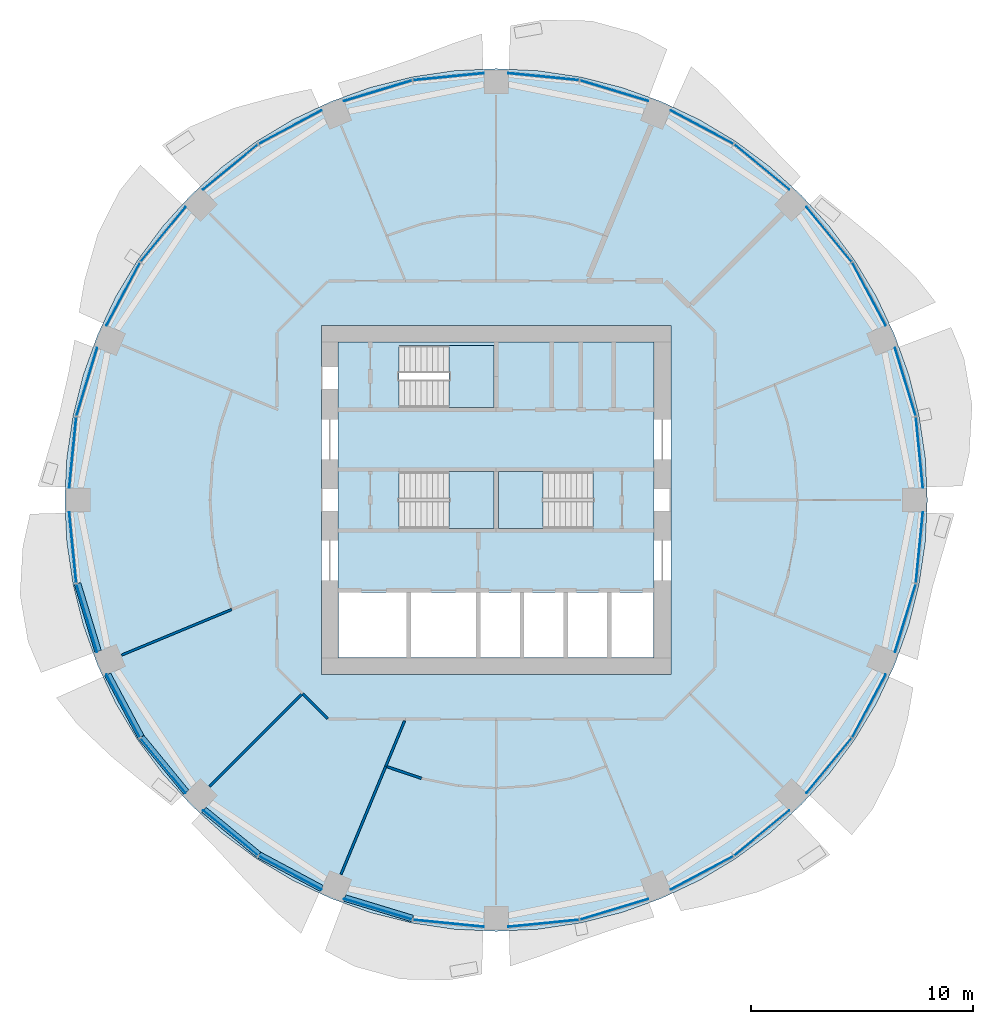
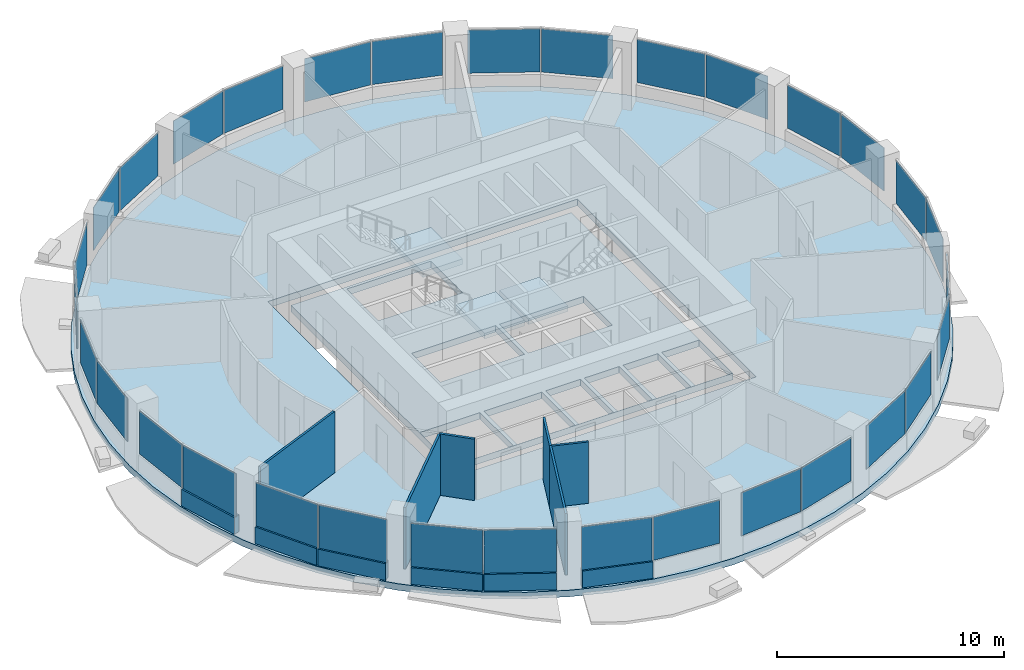
# One storey, part 7 of 15: 32 plates, 12 walls, 5 slabs, 19 elements without a shape of their own.
"""IFC4 building model written with IfcOpenShell, lengths in metres."""

import ifcopenshell
import ifcopenshell.guid

model = None  # the IFC model being written
_history = None  # IfcOwnerHistory: only IFC2X3 demands one
_inside = {}  # id of a spatial element -> (the spatial element, [elements in it])
_under = {}  # id of a project, library or spatial element -> (it, [spatial elements below it])
_declared = {}  # id of a project -> (the project, [libraries it declares])
_typed = {}  # id of a type object -> (the type object, [elements of that type])
_made_of = {}  # id of a material, layer set ... -> (it, [elements and type objects made of it])


def new_model(schema):
    """Start an empty IFC model of exactly this schema.

    Asked for "IFC4X3", IfcOpenShell would pick the latest addendum, in which some entities
    have other attributes; the version numbers below select the first issue.
    IFC2X3 requires an IfcOwnerHistory on every rooted entity: one is made here for all.
    """
    global model, _history
    if schema == "IFC4X3":
        model = ifcopenshell.file(schema_version=(4, 3, 0, 0))
    else:
        model = ifcopenshell.file(schema=schema)
    _inside.clear()
    _under.clear()
    _declared.clear()
    _typed.clear()
    _made_of.clear()
    _history = None
    if model.schema == "IFC2X3":
        org = make("IfcOrganization", Name="unknown")
        user = make(
            "IfcPersonAndOrganization",
            ThePerson=make("IfcPerson", FamilyName="unknown"),
            TheOrganization=org,
        )
        app = make(
            "IfcApplication",
            ApplicationDeveloper=org,
            Version="unknown",
            ApplicationFullName="unknown",
            ApplicationIdentifier="unknown",
        )
        _history = make(
            "IfcOwnerHistory",
            OwningUser=user,
            OwningApplication=app,
            ChangeAction="ADDED",
            CreationDate=0,
        )
    return model


def make(cls, **values):
    """One entity of the class cls with the attributes given. An attribute that is None is left unset."""
    return model.create_entity(
        cls, **{name: value for name, value in values.items() if value is not None}
    )


def rooted(cls, **values):
    """An entity with a GlobalId (a new one), such as an element, a storey or a relation."""
    return make(cls, GlobalId=ifcopenshell.guid.new(), OwnerHistory=_history, **values)


def si_unit(unit_type, name, prefix=None):
    """IfcSIUnit, for example si_unit("LENGTHUNIT", "METRE", prefix="MILLI")."""
    return make("IfcSIUnit", UnitType=unit_type, Prefix=prefix, Name=name)


def assignment(units):
    """IfcUnitAssignment: the units of a project."""
    return None if units is None else make("IfcUnitAssignment", Units=units)


def point(xyz):
    """IfcCartesianPoint."""
    return None if xyz is None else make("IfcCartesianPoint", Coordinates=xyz)


def direction(xyz):
    """IfcDirection."""
    return None if xyz is None else make("IfcDirection", DirectionRatios=xyz)


def frame(location, z_axis=None, x_axis=None):
    """IfcAxis2Placement3D, a coordinate frame: its origin and axes. An axis left out is left unset."""
    return make(
        "IfcAxis2Placement3D",
        Location=point(location),
        Axis=direction(z_axis),
        RefDirection=direction(x_axis),
    )


def frame_2d(location, x_axis=None):
    """IfcAxis2Placement2D, a coordinate frame in the plane: its origin and x axis."""
    return make(
        "IfcAxis2Placement2D", Location=point(location), RefDirection=direction(x_axis)
    )


def origin():
    """The frame at (0, 0, 0) with its axes left unset."""
    return frame((0.0, 0.0, 0.0))


def origin_2d():
    """The frame at (0, 0) in the plane with its x axis left unset."""
    return frame_2d((0.0, 0.0))


def place(relative_to, where):
    """IfcLocalPlacement: puts the frame where relative to a parent placement (None: the world)."""
    return make(
        "IfcLocalPlacement", PlacementRelTo=relative_to, RelativePlacement=where
    )


def context(
    kind, dimensions, precision=None, world=None, true_north=None, identifier=None
):
    """IfcGeometricRepresentationContext, for example the 3D "Model" context."""
    return make(
        "IfcGeometricRepresentationContext",
        ContextIdentifier=identifier,
        ContextType=kind,
        CoordinateSpaceDimension=dimensions,
        Precision=precision,
        WorldCoordinateSystem=world,
        TrueNorth=true_north,
    )


def subcontext(parent, identifier, kind, view, scale=None):
    """IfcGeometricRepresentationSubContext, for example "Body" below "Model"."""
    return make(
        "IfcGeometricRepresentationSubContext",
        ContextIdentifier=identifier,
        ContextType=kind,
        ParentContext=parent,
        TargetScale=scale,
        TargetView=view,
    )


def project(units=None, contexts=None):
    """IfcProject with its units and contexts."""
    return rooted(
        "IfcProject",
        Name="project",
        RepresentationContexts=contexts,
        UnitsInContext=assignment(units),
    )


def spatial(cls, under=None, at=None, **own):
    """A site, building, storey or space (cls), placed at a placement, below another one or the project."""
    s = rooted(cls, ObjectPlacement=at, **own)
    if under is not None:
        _under.setdefault(under.id(), (under, []))[1].append(s)
    return s


def polyline(points):
    """IfcPolyline through the points."""
    return make("IfcPolyline", Points=[point(p) for p in points])


def profile(cls, at=None, kind="AREA", **sizes):
    """A parametric profile (cls). Its sizes go by their IFC names, for example OverallWidth=200.0."""
    return make(cls, ProfileType=kind, Position=at, **sizes)


def rectangle(**sizes):
    """IfcRectangleProfileDef."""
    return profile("IfcRectangleProfileDef", **sizes)


def outline(outer, holes=None, kind="AREA"):
    """IfcArbitraryClosedProfileDef: a profile drawn as a closed curve; with holes, ...WithVoids."""
    if holes is None:
        return make("IfcArbitraryClosedProfileDef", ProfileType=kind, OuterCurve=outer)
    return make(
        "IfcArbitraryProfileDefWithVoids",
        ProfileType=kind,
        OuterCurve=outer,
        InnerCurves=holes,
    )


def extrude(swept, where, along, depth):
    """IfcExtrudedAreaSolid: the profile swept, set in the frame where, extruded along a direction by depth."""
    return make(
        "IfcExtrudedAreaSolid",
        SweptArea=swept,
        Position=where,
        ExtrudedDirection=direction(along),
        Depth=depth,
    )


def shape(context_of_items, identifier, shape_type, items):
    """IfcShapeRepresentation: the items that make up one representation, for example the "Body"."""
    return make(
        "IfcShapeRepresentation",
        ContextOfItems=context_of_items,
        RepresentationIdentifier=identifier,
        RepresentationType=shape_type,
        Items=items,
    )


def material(Name=None, Category=None):
    """IfcMaterial."""
    return make("IfcMaterial", Name=Name, Category=Category)


def layer(
    of_material, thickness, ventilated=None, Name=None, Category=None, Priority=None
):
    """IfcMaterialLayer: one layer of a wall or slab, of a material (None: an air gap)."""
    return make(
        "IfcMaterialLayer",
        Material=of_material,
        LayerThickness=thickness,
        IsVentilated=ventilated,
        Name=Name,
        Category=Category,
        Priority=Priority,
    )


def layer_set(layers, Name=None):
    """IfcMaterialLayerSet."""
    return make("IfcMaterialLayerSet", MaterialLayers=layers, LayerSetName=Name)


def made_of(thing, what):
    """Note that an element or type object is made of a material, layer set ...; save() writes the relation."""
    if what is not None:
        _made_of.setdefault(what.id(), (what, []))[1].append(thing)
    return thing


def type_object(cls, material=None, **own):
    """A type object (cls), such as IfcWallType, which elements share."""
    return made_of(rooted(cls, **own), material)


def element(
    cls,
    number,
    at=None,
    inside=None,
    cuts=None,
    type_object=None,
    material=None,
    context=None,
    identifier="Body",
    shape_type=None,
    held_by="IfcProductDefinitionShape",
    body=None,
    shapes=None,
    **own,
):
    """One element of the class cls, such as IfcWall. Its Tag is "e" and its number.

    at: its placement. inside: the storey or other place that contains it. cuts: it is an
    opening in that element (IfcRelVoidsElement). A single representation is given by context,
    identifier, shape_type and body (its items); several are given by shapes. held_by: the class
    of the entity that holds the representations. save() writes the other relations.
    """
    e = rooted(cls, Tag="e%d" % number, ObjectPlacement=at, **own)
    if body is not None:
        shapes = [shape(context, identifier, shape_type, body)]
    if shapes is not None:
        e.Representation = make(held_by, Representations=shapes)
    if inside is not None:
        _inside.setdefault(inside.id(), (inside, []))[1].append(e)
    if cuts is not None:
        rooted(
            "IfcRelVoidsElement", RelatingBuildingElement=cuts, RelatedOpeningElement=e
        )
    if type_object is not None:
        _typed.setdefault(type_object.id(), (type_object, []))[1].append(e)
    return made_of(e, material)


def aggregate(whole, parts):
    """IfcRelAggregates: a whole, such as a stair, and the parts it consists of."""
    return rooted("IfcRelAggregates", RelatingObject=whole, RelatedObjects=parts)


def save(model, path):
    """Write the relations noted so far, then the file.

    IfcRelAggregates (storeys below a building ...), IfcRelContainedInSpatialStructure (elements
    in a storey), IfcRelDefinesByType, IfcRelAssociatesMaterial and IfcRelDeclares: one each for
    every whole, place, type object, material and project.
    """
    for whole, parts in _under.values():
        aggregate(whole, parts)
    for where, things in _inside.values():
        rooted(
            "IfcRelContainedInSpatialStructure",
            RelatedElements=things,
            RelatingStructure=where,
        )
    for kind, things in _typed.values():
        rooted("IfcRelDefinesByType", RelatedObjects=things, RelatingType=kind)
    for what, things in _made_of.values():
        rooted("IfcRelAssociatesMaterial", RelatedObjects=things, RelatingMaterial=what)
    for by, libraries in _declared.values():
        rooted("IfcRelDeclares", RelatingContext=by, RelatedDefinitions=libraries)
    model.write(path)


model = new_model("IFC4")

# Units and contexts
model_context = context("Model", 3, precision=1e-05, world=origin(), true_north=direction((0.0, 1.0)))
body_context = subcontext(model_context, "Body", "Model", "MODEL_VIEW")
ifc_project = project(units=[si_unit("LENGTHUNIT", "METRE"), si_unit("AREAUNIT", "SQUARE_METRE"), si_unit("VOLUMEUNIT", "CUBIC_METRE"), si_unit("PLANEANGLEUNIT", "RADIAN"), si_unit("MASSUNIT", "GRAM", prefix="KILO")], contexts=[model_context])

# Site, building, storey
site_placement = place(None, origin())
site = spatial("IfcSite", under=ifc_project, at=site_placement, CompositionType="ELEMENT")
building_placement = place(site_placement, origin())
building = spatial("IfcBuilding", under=site, at=building_placement, Name="Polderwave Tower", CompositionType="ELEMENT")
storey_placement = place(building_placement, frame((0.0, 0.0, 76.39990234375)))
storey = spatial("IfcBuildingStorey", under=building, at=storey_placement, Name="L19", CompositionType="ELEMENT", Elevation=76.39990234375)

# Slab
ifc_material_1 = material(Name="Concrete C40/50", Category="concrete")
ifc_layer_1 = layer(ifc_material_1, 0.35009765625)
ifc_layer_set_1 = layer_set([ifc_layer_1], Name="Core floor slab 350")
slab_type_1 = type_object("IfcSlabType", Name="Core floor slab 350", PredefinedType="FLOOR", material=ifc_layer_set_1)
slab_1_placement = place(storey_placement, frame((0.0, 0.0, -0.349853515625)))
element("IfcSlab", 1, at=slab_1_placement, inside=storey, type_object=slab_type_1, Name="L19 core floor", PredefinedType="FLOOR", context=body_context, shape_type="SweptSolid", body=[
    extrude(outline(polyline([(-7.1240234375, -7.1240234375), (7.1240234375, -7.1240234375), (7.1240234375, 7.1240234375), (-7.1240234375, 7.1240234375), (-7.1240234375, -7.1240234375)]), holes=[polyline([(-7.10400390625, -7.10400390625), (-4.037109375, -7.10400390625), (-4.037109375, -4.174072265625), (-7.10400390625, -4.174072265625), (-7.10400390625, -7.10400390625)]), polyline([(-3.8369140625, -7.10400390625), (-0.89990234375, -7.10400390625), (-0.89990234375, -4.174072265625), (-3.8369140625, -4.174072265625), (-3.8369140625, -7.10400390625)]), polyline([(-0.699951171875, -7.10400390625), (1.068603515625, -7.10400390625), (1.068603515625, -4.174072265625), (-0.699951171875, -4.174072265625), (-0.699951171875, -7.10400390625)]), polyline([(1.2685546875, -7.10400390625), (3.037109375, -7.10400390625), (3.037109375, -4.174072265625), (1.2685546875, -4.174072265625), (1.2685546875, -7.10400390625)]), polyline([(3.237060546875, -7.10400390625), (5.005615234375, -7.10400390625), (5.005615234375, -4.174072265625), (3.237060546875, -4.174072265625), (3.237060546875, -7.10400390625)]), polyline([(5.20556640625, -7.10400390625), (7.10400390625, -7.10400390625), (7.10400390625, -4.174072265625), (5.20556640625, -4.174072265625), (5.20556640625, -7.10400390625)]), polyline([(-4.37353515625, -1.2744140625), (-0.1005859375, -1.2744140625), (-0.1005859375, 1.2744140625), (-4.37353515625, 1.2744140625), (-4.37353515625, -1.2744140625)]), polyline([(0.1005859375, -1.2744140625), (4.37353515625, -1.2744140625), (4.37353515625, 1.2744140625), (0.1005859375, 1.2744140625), (0.1005859375, -1.2744140625)]), polyline([(-4.37353515625, 4.174560546875), (-0.1005859375, 4.174560546875), (-0.1005859375, 6.973388671875), (-4.37353515625, 6.973388671875), (-4.37353515625, 4.174560546875)])]), origin(), (0.0, 0.0, 1.0), 0.349853515625),
])

# Curtain wall, plates
ifc_material_2 = material(Name="Aluminium 6063-T6 and glass", Category="aluminium")
curtain_wall_type = type_object("IfcCurtainWallType", Name="Growing floor ribbon glazing wall", PredefinedType="NOTDEFINED", material=ifc_material_2)
curtain_wall_1_placement = place(storey_placement, origin())
curtain_wall_1 = element("IfcCurtainWall", 2, at=curtain_wall_1_placement, inside=storey, type_object=curtain_wall_type, Name="CW2 L19 00", PredefinedType="NOTDEFINED")
ifc_material_3 = material(Name="Glass, low-e laminated double glazing", Category="glass")
ifc_layer_2 = layer(ifc_material_3, 0.028076171875)
ifc_layer_set_2 = layer_set([ifc_layer_2], Name="Growing floor ribbon glazing glass panel 28 mm")
plate_type = type_object("IfcPlateType", Name="Growing floor ribbon glazing glass panel 28 mm", PredefinedType="CURTAIN_PANEL", material=ifc_layer_set_2)
plate_1_placement = place(storey_placement, frame((19.0791015625, 2.1416015625, 0.89990234375), z_axis=(0.0, 0.0, 1.0), x_axis=(-0.098185620651, 0.995168118409, 0.0)))
plate_1 = element("IfcPlate", 3, at=plate_1_placement, type_object=plate_type, Name="CW2 panel 1", PredefinedType="CURTAIN_PANEL", context=body_context, shape_type="SweptSolid", body=[
    extrude(rectangle(XDim=3.198486328125, YDim=0.028076171875, at=origin_2d()), origin(), (0.0, 0.0, 1.0), 2.320068359375),
])
plate_2_placement = place(storey_placement, frame((18.446044921875, 5.322509765625, 0.89990234375), z_axis=(0.0, 0.0, 1.0), x_axis=(-0.290187805562, 0.956969716085, 0.0)))
plate_2 = element("IfcPlate", 4, at=plate_2_placement, type_object=plate_type, Name="CW2 panel 2", PredefinedType="CURTAIN_PANEL", context=body_context, shape_type="SweptSolid", body=[
    extrude(rectangle(XDim=3.198974609375, YDim=0.028076171875, at=origin_2d()), origin(), (0.0, 0.0, 1.0), 2.320068359375),
])
aggregate(curtain_wall_1, [plate_1, plate_2])

curtain_wall_2_placement = place(storey_placement, origin())
curtain_wall_2 = element("IfcCurtainWall", 5, at=curtain_wall_2_placement, inside=storey, type_object=curtain_wall_type, Name="CW2 L19 01", PredefinedType="NOTDEFINED")
plate_3_placement = place(storey_placement, frame((16.80712890625, 9.27978515625, 0.89990234375), z_axis=(0.0, 0.0, 1.0), x_axis=(-0.471327469438, 0.881958285041, 0.0)))
plate_3 = element("IfcPlate", 6, at=plate_3_placement, type_object=plate_type, Name="CW2 panel 1", PredefinedType="CURTAIN_PANEL", context=body_context, shape_type="SweptSolid", body=[
    extrude(rectangle(XDim=3.19921875, YDim=0.028076171875, at=origin_2d()), origin(), (0.0, 0.0, 1.0), 2.320068359375),
])
plate_4_placement = place(storey_placement, frame((15.005615234375, 11.9765625, 0.89990234375), z_axis=(0.0, 0.0, 1.0), x_axis=(-0.634316379032, 0.773073561371, 0.0)))
plate_4 = element("IfcPlate", 7, at=plate_4_placement, type_object=plate_type, Name="CW2 panel 2", PredefinedType="CURTAIN_PANEL", context=body_context, shape_type="SweptSolid", body=[
    extrude(rectangle(XDim=3.19873046875, YDim=0.028076171875, at=origin_2d()), origin(), (0.0, 0.0, 1.0), 2.320068359375),
])
aggregate(curtain_wall_2, [plate_3, plate_4])

curtain_wall_3_placement = place(storey_placement, origin())
curtain_wall_3 = element("IfcCurtainWall", 8, at=curtain_wall_3_placement, inside=storey, type_object=curtain_wall_type, Name="CW2 L19 02", PredefinedType="NOTDEFINED")
plate_5_placement = place(storey_placement, frame((11.9765625, 15.005615234375, 0.89990234375), z_axis=(0.0, 0.0, 1.0), x_axis=(-0.773073561371, 0.634316379032, 0.0)))
plate_5 = element("IfcPlate", 9, at=plate_5_placement, type_object=plate_type, Name="CW2 panel 1", PredefinedType="CURTAIN_PANEL", context=body_context, shape_type="SweptSolid", body=[
    extrude(rectangle(XDim=3.19873046875, YDim=0.028076171875, at=origin_2d()), origin(), (0.0, 0.0, 1.0), 2.320068359375),
])
plate_6_placement = place(storey_placement, frame((9.27978515625, 16.80712890625, 0.89990234375), z_axis=(0.0, 0.0, 1.0), x_axis=(-0.881958285041, 0.471327469438, 0.0)))
plate_6 = element("IfcPlate", 10, at=plate_6_placement, type_object=plate_type, Name="CW2 panel 2", PredefinedType="CURTAIN_PANEL", context=body_context, shape_type="SweptSolid", body=[
    extrude(rectangle(XDim=3.19921875, YDim=0.028076171875, at=origin_2d()), origin(), (0.0, 0.0, 1.0), 2.320068359375),
])
aggregate(curtain_wall_3, [plate_5, plate_6])

curtain_wall_4_placement = place(storey_placement, origin())
curtain_wall_4 = element("IfcCurtainWall", 11, at=curtain_wall_4_placement, inside=storey, type_object=curtain_wall_type, Name="CW2 L19 03", PredefinedType="NOTDEFINED")
plate_7_placement = place(storey_placement, frame((5.322509765625, 18.446044921875, 0.89990234375), z_axis=(0.0, 0.0, 1.0), x_axis=(-0.956969716085, 0.290187805562, 0.0)))
plate_7 = element("IfcPlate", 12, at=plate_7_placement, type_object=plate_type, Name="CW2 panel 1", PredefinedType="CURTAIN_PANEL", context=body_context, shape_type="SweptSolid", body=[
    extrude(rectangle(XDim=3.198974609375, YDim=0.028076171875, at=origin_2d()), origin(), (0.0, 0.0, 1.0), 2.320068359375),
])
plate_8_placement = place(storey_placement, frame((2.1416015625, 19.0791015625, 0.89990234375), z_axis=(0.0, 0.0, 1.0), x_axis=(-0.995168118409, 0.098185620651, 0.0)))
plate_8 = element("IfcPlate", 13, at=plate_8_placement, type_object=plate_type, Name="CW2 panel 2", PredefinedType="CURTAIN_PANEL", context=body_context, shape_type="SweptSolid", body=[
    extrude(rectangle(XDim=3.198486328125, YDim=0.028076171875, at=origin_2d()), origin(), (0.0, 0.0, 1.0), 2.320068359375),
])
aggregate(curtain_wall_4, [plate_7, plate_8])

curtain_wall_5_placement = place(storey_placement, origin())
curtain_wall_5 = element("IfcCurtainWall", 14, at=curtain_wall_5_placement, inside=storey, type_object=curtain_wall_type, Name="CW2 L19 04", PredefinedType="NOTDEFINED")
plate_9_placement = place(storey_placement, frame((-2.1416015625, 19.0791015625, 0.89990234375), z_axis=(0.0, 0.0, 1.0), x_axis=(-0.995168118409, -0.098185620651, 0.0)))
plate_9 = element("IfcPlate", 15, at=plate_9_placement, type_object=plate_type, Name="CW2 panel 1", PredefinedType="CURTAIN_PANEL", context=body_context, shape_type="SweptSolid", body=[
    extrude(rectangle(XDim=3.198486328125, YDim=0.028076171875, at=origin_2d()), origin(), (0.0, 0.0, 1.0), 2.320068359375),
])
plate_10_placement = place(storey_placement, frame((-5.322509765625, 18.446044921875, 0.89990234375), z_axis=(0.0, 0.0, 1.0), x_axis=(-0.956969716085, -0.290187805562, 0.0)))
plate_10 = element("IfcPlate", 16, at=plate_10_placement, type_object=plate_type, Name="CW2 panel 2", PredefinedType="CURTAIN_PANEL", context=body_context, shape_type="SweptSolid", body=[
    extrude(rectangle(XDim=3.198974609375, YDim=0.028076171875, at=origin_2d()), origin(), (0.0, 0.0, 1.0), 2.320068359375),
])
aggregate(curtain_wall_5, [plate_9, plate_10])

curtain_wall_6_placement = place(storey_placement, origin())
curtain_wall_6 = element("IfcCurtainWall", 17, at=curtain_wall_6_placement, inside=storey, type_object=curtain_wall_type, Name="CW2 L19 05", PredefinedType="NOTDEFINED")
plate_11_placement = place(storey_placement, frame((-9.27978515625, 16.80712890625, 0.89990234375), z_axis=(0.0, 0.0, 1.0), x_axis=(-0.881958285041, -0.471327469438, 0.0)))
plate_11 = element("IfcPlate", 18, at=plate_11_placement, type_object=plate_type, Name="CW2 panel 1", PredefinedType="CURTAIN_PANEL", context=body_context, shape_type="SweptSolid", body=[
    extrude(rectangle(XDim=3.19921875, YDim=0.028076171875, at=origin_2d()), origin(), (0.0, 0.0, 1.0), 2.320068359375),
])
plate_12_placement = place(storey_placement, frame((-11.9765625, 15.005615234375, 0.89990234375), z_axis=(0.0, 0.0, 1.0), x_axis=(-0.773073561371, -0.634316379032, 0.0)))
plate_12 = element("IfcPlate", 19, at=plate_12_placement, type_object=plate_type, Name="CW2 panel 2", PredefinedType="CURTAIN_PANEL", context=body_context, shape_type="SweptSolid", body=[
    extrude(rectangle(XDim=3.19873046875, YDim=0.028076171875, at=origin_2d()), origin(), (0.0, 0.0, 1.0), 2.320068359375),
])
aggregate(curtain_wall_6, [plate_11, plate_12])

curtain_wall_7_placement = place(storey_placement, origin())
curtain_wall_7 = element("IfcCurtainWall", 20, at=curtain_wall_7_placement, inside=storey, type_object=curtain_wall_type, Name="CW2 L19 06", PredefinedType="NOTDEFINED")
plate_13_placement = place(storey_placement, frame((-15.005615234375, 11.9765625, 0.89990234375), z_axis=(0.0, 0.0, 1.0), x_axis=(-0.634316379032, -0.773073561371, 0.0)))
plate_13 = element("IfcPlate", 21, at=plate_13_placement, type_object=plate_type, Name="CW2 panel 1", PredefinedType="CURTAIN_PANEL", context=body_context, shape_type="SweptSolid", body=[
    extrude(rectangle(XDim=3.19873046875, YDim=0.028076171875, at=origin_2d()), origin(), (0.0, 0.0, 1.0), 2.320068359375),
])
plate_14_placement = place(storey_placement, frame((-16.80712890625, 9.27978515625, 0.89990234375), z_axis=(0.0, 0.0, 1.0), x_axis=(-0.471327469438, -0.881958285041, 0.0)))
plate_14 = element("IfcPlate", 22, at=plate_14_placement, type_object=plate_type, Name="CW2 panel 2", PredefinedType="CURTAIN_PANEL", context=body_context, shape_type="SweptSolid", body=[
    extrude(rectangle(XDim=3.19921875, YDim=0.028076171875, at=origin_2d()), origin(), (0.0, 0.0, 1.0), 2.320068359375),
])
aggregate(curtain_wall_7, [plate_13, plate_14])

curtain_wall_8_placement = place(storey_placement, origin())
curtain_wall_8 = element("IfcCurtainWall", 23, at=curtain_wall_8_placement, inside=storey, type_object=curtain_wall_type, Name="CW2 L19 07", PredefinedType="NOTDEFINED")
plate_15_placement = place(storey_placement, frame((-18.446044921875, 5.322509765625, 0.89990234375), z_axis=(0.0, 0.0, 1.0), x_axis=(-0.290187805562, -0.956969716085, 0.0)))
plate_15 = element("IfcPlate", 24, at=plate_15_placement, type_object=plate_type, Name="CW2 panel 1", PredefinedType="CURTAIN_PANEL", context=body_context, shape_type="SweptSolid", body=[
    extrude(rectangle(XDim=3.198974609375, YDim=0.028076171875, at=origin_2d()), origin(), (0.0, 0.0, 1.0), 2.320068359375),
])
plate_16_placement = place(storey_placement, frame((-19.0791015625, 2.1416015625, 0.89990234375), z_axis=(0.0, 0.0, 1.0), x_axis=(-0.098185620651, -0.995168118409, 0.0)))
plate_16 = element("IfcPlate", 25, at=plate_16_placement, type_object=plate_type, Name="CW2 panel 2", PredefinedType="CURTAIN_PANEL", context=body_context, shape_type="SweptSolid", body=[
    extrude(rectangle(XDim=3.198486328125, YDim=0.028076171875, at=origin_2d()), origin(), (0.0, 0.0, 1.0), 2.320068359375),
])
aggregate(curtain_wall_8, [plate_15, plate_16])

curtain_wall_9_placement = place(storey_placement, origin())
curtain_wall_9 = element("IfcCurtainWall", 26, at=curtain_wall_9_placement, inside=storey, type_object=curtain_wall_type, Name="CW2 L19 08", PredefinedType="NOTDEFINED")
plate_17_placement = place(storey_placement, frame((-19.0791015625, -2.1416015625, 0.89990234375), z_axis=(0.0, 0.0, 1.0), x_axis=(0.098185620651, -0.995168118409, 0.0)))
plate_17 = element("IfcPlate", 27, at=plate_17_placement, type_object=plate_type, Name="CW2 panel 1", PredefinedType="CURTAIN_PANEL", context=body_context, shape_type="SweptSolid", body=[
    extrude(rectangle(XDim=3.198486328125, YDim=0.028076171875, at=origin_2d()), origin(), (0.0, 0.0, 1.0), 2.320068359375),
])
plate_18_placement = place(storey_placement, frame((-18.446044921875, -5.322509765625, 0.89990234375), z_axis=(0.0, 0.0, 1.0), x_axis=(0.290187805562, -0.956969716085, 0.0)))
plate_18 = element("IfcPlate", 28, at=plate_18_placement, type_object=plate_type, Name="CW2 panel 2", PredefinedType="CURTAIN_PANEL", context=body_context, shape_type="SweptSolid", body=[
    extrude(rectangle(XDim=3.198974609375, YDim=0.028076171875, at=origin_2d()), origin(), (0.0, 0.0, 1.0), 2.320068359375),
])
aggregate(curtain_wall_9, [plate_17, plate_18])

curtain_wall_10_placement = place(storey_placement, origin())
curtain_wall_10 = element("IfcCurtainWall", 29, at=curtain_wall_10_placement, inside=storey, type_object=curtain_wall_type, Name="CW2 L19 09", PredefinedType="NOTDEFINED")
plate_19_placement = place(storey_placement, frame((-16.80712890625, -9.27978515625, 0.89990234375), z_axis=(0.0, 0.0, 1.0), x_axis=(0.471327469438, -0.881958285041, 0.0)))
plate_19 = element("IfcPlate", 30, at=plate_19_placement, type_object=plate_type, Name="CW2 panel 1", PredefinedType="CURTAIN_PANEL", context=body_context, shape_type="SweptSolid", body=[
    extrude(rectangle(XDim=3.19921875, YDim=0.028076171875, at=origin_2d()), origin(), (0.0, 0.0, 1.0), 2.320068359375),
])
plate_20_placement = place(storey_placement, frame((-15.005615234375, -11.9765625, 0.89990234375), z_axis=(0.0, 0.0, 1.0), x_axis=(0.634316379032, -0.773073561371, 0.0)))
plate_20 = element("IfcPlate", 31, at=plate_20_placement, type_object=plate_type, Name="CW2 panel 2", PredefinedType="CURTAIN_PANEL", context=body_context, shape_type="SweptSolid", body=[
    extrude(rectangle(XDim=3.19873046875, YDim=0.028076171875, at=origin_2d()), origin(), (0.0, 0.0, 1.0), 2.320068359375),
])
aggregate(curtain_wall_10, [plate_19, plate_20])

curtain_wall_11_placement = place(storey_placement, origin())
curtain_wall_11 = element("IfcCurtainWall", 32, at=curtain_wall_11_placement, inside=storey, type_object=curtain_wall_type, Name="CW2 L19 10", PredefinedType="NOTDEFINED")
plate_21_placement = place(storey_placement, frame((-11.9765625, -15.005615234375, 0.89990234375), z_axis=(0.0, 0.0, 1.0), x_axis=(0.773073561371, -0.634316379032, 0.0)))
plate_21 = element("IfcPlate", 33, at=plate_21_placement, type_object=plate_type, Name="CW2 panel 1", PredefinedType="CURTAIN_PANEL", context=body_context, shape_type="SweptSolid", body=[
    extrude(rectangle(XDim=3.19873046875, YDim=0.028076171875, at=origin_2d()), origin(), (0.0, 0.0, 1.0), 2.320068359375),
])
plate_22_placement = place(storey_placement, frame((-9.27978515625, -16.80712890625, 0.89990234375), z_axis=(0.0, 0.0, 1.0), x_axis=(0.881958285041, -0.471327469438, 0.0)))
plate_22 = element("IfcPlate", 34, at=plate_22_placement, type_object=plate_type, Name="CW2 panel 2", PredefinedType="CURTAIN_PANEL", context=body_context, shape_type="SweptSolid", body=[
    extrude(rectangle(XDim=3.19921875, YDim=0.028076171875, at=origin_2d()), origin(), (0.0, 0.0, 1.0), 2.320068359375),
])
aggregate(curtain_wall_11, [plate_21, plate_22])

curtain_wall_12_placement = place(storey_placement, origin())
curtain_wall_12 = element("IfcCurtainWall", 35, at=curtain_wall_12_placement, inside=storey, type_object=curtain_wall_type, Name="CW2 L19 11", PredefinedType="NOTDEFINED")
plate_23_placement = place(storey_placement, frame((-5.322509765625, -18.446044921875, 0.89990234375), z_axis=(0.0, 0.0, 1.0), x_axis=(0.956969716085, -0.290187805562, 0.0)))
plate_23 = element("IfcPlate", 36, at=plate_23_placement, type_object=plate_type, Name="CW2 panel 1", PredefinedType="CURTAIN_PANEL", context=body_context, shape_type="SweptSolid", body=[
    extrude(rectangle(XDim=3.198974609375, YDim=0.028076171875, at=origin_2d()), origin(), (0.0, 0.0, 1.0), 2.320068359375),
])
plate_24_placement = place(storey_placement, frame((-2.1416015625, -19.0791015625, 0.89990234375), z_axis=(0.0, 0.0, 1.0), x_axis=(0.995168118409, -0.098185620651, 0.0)))
plate_24 = element("IfcPlate", 37, at=plate_24_placement, type_object=plate_type, Name="CW2 panel 2", PredefinedType="CURTAIN_PANEL", context=body_context, shape_type="SweptSolid", body=[
    extrude(rectangle(XDim=3.198486328125, YDim=0.028076171875, at=origin_2d()), origin(), (0.0, 0.0, 1.0), 2.320068359375),
])
aggregate(curtain_wall_12, [plate_23, plate_24])

curtain_wall_13_placement = place(storey_placement, origin())
curtain_wall_13 = element("IfcCurtainWall", 38, at=curtain_wall_13_placement, inside=storey, type_object=curtain_wall_type, Name="CW2 L19 12", PredefinedType="NOTDEFINED")
plate_25_placement = place(storey_placement, frame((2.1416015625, -19.0791015625, 0.89990234375), z_axis=(0.0, 0.0, 1.0), x_axis=(0.995168118409, 0.098185620651, 0.0)))
plate_25 = element("IfcPlate", 39, at=plate_25_placement, type_object=plate_type, Name="CW2 panel 1", PredefinedType="CURTAIN_PANEL", context=body_context, shape_type="SweptSolid", body=[
    extrude(rectangle(XDim=3.198486328125, YDim=0.028076171875, at=origin_2d()), origin(), (0.0, 0.0, 1.0), 2.320068359375),
])
plate_26_placement = place(storey_placement, frame((5.322509765625, -18.446044921875, 0.89990234375), z_axis=(0.0, 0.0, 1.0), x_axis=(0.956969716085, 0.290187805562, 0.0)))
plate_26 = element("IfcPlate", 40, at=plate_26_placement, type_object=plate_type, Name="CW2 panel 2", PredefinedType="CURTAIN_PANEL", context=body_context, shape_type="SweptSolid", body=[
    extrude(rectangle(XDim=3.198974609375, YDim=0.028076171875, at=origin_2d()), origin(), (0.0, 0.0, 1.0), 2.320068359375),
])
aggregate(curtain_wall_13, [plate_25, plate_26])

curtain_wall_14_placement = place(storey_placement, origin())
curtain_wall_14 = element("IfcCurtainWall", 41, at=curtain_wall_14_placement, inside=storey, type_object=curtain_wall_type, Name="CW2 L19 13", PredefinedType="NOTDEFINED")
plate_27_placement = place(storey_placement, frame((9.27978515625, -16.80712890625, 0.89990234375), z_axis=(0.0, 0.0, 1.0), x_axis=(0.881958285041, 0.471327469438, 0.0)))
plate_27 = element("IfcPlate", 42, at=plate_27_placement, type_object=plate_type, Name="CW2 panel 1", PredefinedType="CURTAIN_PANEL", context=body_context, shape_type="SweptSolid", body=[
    extrude(rectangle(XDim=3.19921875, YDim=0.028076171875, at=origin_2d()), origin(), (0.0, 0.0, 1.0), 2.320068359375),
])
plate_28_placement = place(storey_placement, frame((11.9765625, -15.005615234375, 0.89990234375), z_axis=(0.0, 0.0, 1.0), x_axis=(0.773073561371, 0.634316379032, 0.0)))
plate_28 = element("IfcPlate", 43, at=plate_28_placement, type_object=plate_type, Name="CW2 panel 2", PredefinedType="CURTAIN_PANEL", context=body_context, shape_type="SweptSolid", body=[
    extrude(rectangle(XDim=3.19873046875, YDim=0.028076171875, at=origin_2d()), origin(), (0.0, 0.0, 1.0), 2.320068359375),
])
aggregate(curtain_wall_14, [plate_27, plate_28])

curtain_wall_15_placement = place(storey_placement, origin())
curtain_wall_15 = element("IfcCurtainWall", 44, at=curtain_wall_15_placement, inside=storey, type_object=curtain_wall_type, Name="CW2 L19 14", PredefinedType="NOTDEFINED")
plate_29_placement = place(storey_placement, frame((15.005615234375, -11.9765625, 0.89990234375), z_axis=(0.0, 0.0, 1.0), x_axis=(0.634316379032, 0.773073561371, 0.0)))
plate_29 = element("IfcPlate", 45, at=plate_29_placement, type_object=plate_type, Name="CW2 panel 1", PredefinedType="CURTAIN_PANEL", context=body_context, shape_type="SweptSolid", body=[
    extrude(rectangle(XDim=3.19873046875, YDim=0.028076171875, at=origin_2d()), origin(), (0.0, 0.0, 1.0), 2.320068359375),
])
plate_30_placement = place(storey_placement, frame((16.80712890625, -9.27978515625, 0.89990234375), z_axis=(0.0, 0.0, 1.0), x_axis=(0.471327469438, 0.881958285041, 0.0)))
plate_30 = element("IfcPlate", 46, at=plate_30_placement, type_object=plate_type, Name="CW2 panel 2", PredefinedType="CURTAIN_PANEL", context=body_context, shape_type="SweptSolid", body=[
    extrude(rectangle(XDim=3.19921875, YDim=0.028076171875, at=origin_2d()), origin(), (0.0, 0.0, 1.0), 2.320068359375),
])
aggregate(curtain_wall_15, [plate_29, plate_30])

curtain_wall_16_placement = place(storey_placement, origin())
curtain_wall_16 = element("IfcCurtainWall", 47, at=curtain_wall_16_placement, inside=storey, type_object=curtain_wall_type, Name="CW2 L19 15", PredefinedType="NOTDEFINED")
plate_31_placement = place(storey_placement, frame((18.446044921875, -5.322509765625, 0.89990234375), z_axis=(0.0, 0.0, 1.0), x_axis=(0.290187805562, 0.956969716085, 0.0)))
plate_31 = element("IfcPlate", 48, at=plate_31_placement, type_object=plate_type, Name="CW2 panel 1", PredefinedType="CURTAIN_PANEL", context=body_context, shape_type="SweptSolid", body=[
    extrude(rectangle(XDim=3.198974609375, YDim=0.028076171875, at=origin_2d()), origin(), (0.0, 0.0, 1.0), 2.320068359375),
])
plate_32_placement = place(storey_placement, frame((19.0791015625, -2.1416015625, 0.89990234375), z_axis=(0.0, 0.0, 1.0), x_axis=(0.098185620651, 0.995168118409, 0.0)))
plate_32 = element("IfcPlate", 49, at=plate_32_placement, type_object=plate_type, Name="CW2 panel 2", PredefinedType="CURTAIN_PANEL", context=body_context, shape_type="SweptSolid", body=[
    extrude(rectangle(XDim=3.198486328125, YDim=0.028076171875, at=origin_2d()), origin(), (0.0, 0.0, 1.0), 2.320068359375),
])
aggregate(curtain_wall_16, [plate_31, plate_32])

# Slab
ifc_layer_3 = layer(ifc_material_1, 0.35009765625)
ifc_layer_set_3 = layer_set([ifc_layer_3], Name="PT FLOOR SLAB 350 C40/50")
slab_type_2 = type_object("IfcSlabType", Name="PT FLOOR SLAB 350 C40/50", PredefinedType="FLOOR", material=ifc_layer_set_3)
slab_2_placement = place(storey_placement, frame((0.0, 0.0, -0.349853515625)))
element("IfcSlab", 50, at=slab_2_placement, inside=storey, type_object=slab_type_2, Name="ST-SLAB-L19", PredefinedType="FLOOR", context=body_context, shape_type="SweptSolid", body=[
    extrude(outline(polyline([(19.43994140625, 0.0), (19.346435546875, 1.905517578125), (19.06640625, 3.79248046875), (18.602783203125, 5.64306640625), (17.960205078125, 7.439453125), (17.14453125, 9.1640625), (16.163818359375, 10.80029296875), (15.02734375, 12.33251953125), (13.74609375, 13.74609375), (12.33251953125, 15.02734375), (10.80029296875, 16.163818359375), (9.1640625, 17.14453125), (7.439453125, 17.960205078125), (5.64306640625, 18.602783203125), (3.79248046875, 19.06640625), (1.905517578125, 19.346435546875), (0.0, 19.43994140625), (-1.905517578125, 19.346435546875), (-3.79248046875, 19.06640625), (-5.64306640625, 18.602783203125), (-7.439453125, 17.960205078125), (-9.1640625, 17.14453125), (-10.80029296875, 16.163818359375), (-12.33251953125, 15.02734375), (-13.74609375, 13.74609375), (-15.02734375, 12.33251953125), (-16.163818359375, 10.80029296875), (-17.14453125, 9.1640625), (-17.960205078125, 7.439453125), (-18.602783203125, 5.64306640625), (-19.06640625, 3.79248046875), (-19.346435546875, 1.905517578125), (-19.43994140625, 0.0), (-19.346435546875, -1.905517578125), (-19.06640625, -3.79248046875), (-18.602783203125, -5.64306640625), (-17.960205078125, -7.439453125), (-17.14453125, -9.1640625), (-16.163818359375, -10.80029296875), (-15.02734375, -12.33251953125), (-13.74609375, -13.74609375), (-12.33251953125, -15.02734375), (-10.80029296875, -16.163818359375), (-9.1640625, -17.14453125), (-7.439453125, -17.960205078125), (-5.64306640625, -18.602783203125), (-3.79248046875, -19.06640625), (-1.905517578125, -19.346435546875), (0.0, -19.43994140625), (1.905517578125, -19.346435546875), (3.79248046875, -19.06640625), (5.64306640625, -18.602783203125), (7.439453125, -17.960205078125), (9.1640625, -17.14453125), (10.80029296875, -16.163818359375), (12.33251953125, -15.02734375), (13.74609375, -13.74609375), (15.02734375, -12.33251953125), (16.163818359375, -10.80029296875), (17.14453125, -9.1640625), (17.960205078125, -7.439453125), (18.602783203125, -5.64306640625), (19.06640625, -3.79248046875), (19.346435546875, -1.905517578125), (19.43994140625, 0.0)]), holes=[polyline([(-7.8740234375, -7.8740234375), (7.8740234375, -7.8740234375), (7.8740234375, 7.8740234375), (-7.8740234375, 7.8740234375), (-7.8740234375, -7.8740234375)])]), origin(), (0.0, 0.0, 1.0), 0.349853515625),
])

# Stair, slab
stair_type = type_object("IfcStairType", Name="Exit stair 1200 x 20 risers", PredefinedType="HALF_TURN_STAIR", material=ifc_material_1)
stair_1_placement = place(storey_placement, origin())
stair_1 = element("IfcStair", 51, at=stair_1_placement, inside=storey, type_object=stair_type, Name="L19 Exit stair A", PredefinedType="HALF_TURN_STAIR")
ifc_layer_4 = layer(ifc_material_1, 0.300048828125)
ifc_layer_set_4 = layer_set([ifc_layer_4], Name="Stair landing 300")
slab_type_3 = type_object("IfcSlabType", Name="Stair landing 300", PredefinedType="LANDING", material=ifc_layer_set_4)
slab_3_placement = place(storey_placement, frame((0.0, 0.0, 1.525146484375)))
slab_3 = element("IfcSlab", 52, at=slab_3_placement, type_object=slab_type_3, Name="ST-A landing 1", PredefinedType="LANDING", context=body_context, shape_type="SweptSolid", body=[
    extrude(outline(polyline([(-2.1240234375, -1.27490234375), (-0.10009765625, -1.27490234375), (-0.10009765625, 1.27490234375), (-2.1240234375, 1.27490234375), (-2.1240234375, -1.27490234375)])), origin(), (0.0, 0.0, 1.0), 0.300048828125),
])
aggregate(stair_1, [slab_3])

stair_2_placement = place(storey_placement, origin())
stair_2 = element("IfcStair", 53, at=stair_2_placement, inside=storey, type_object=stair_type, Name="L19 Exit stair B", PredefinedType="HALF_TURN_STAIR")
slab_4_placement = place(storey_placement, frame((0.0, 0.0, 1.525146484375)))
slab_4 = element("IfcSlab", 54, at=slab_4_placement, type_object=slab_type_3, Name="ST-B landing 1", PredefinedType="LANDING", context=body_context, shape_type="SweptSolid", body=[
    extrude(outline(polyline([(2.1240234375, 1.27490234375), (0.10009765625, 1.27490234375), (0.10009765625, -1.27490234375), (2.1240234375, -1.27490234375), (2.1240234375, 1.27490234375)])), origin(), (0.0, 0.0, 1.0), 0.300048828125),
])
aggregate(stair_2, [slab_4])

stair_3_placement = place(storey_placement, origin())
stair_3 = element("IfcStair", 55, at=stair_3_placement, inside=storey, type_object=stair_type, Name="L19 Exit stair C", PredefinedType="HALF_TURN_STAIR")
slab_5_placement = place(storey_placement, frame((0.0, 0.0, 1.525146484375)))
slab_5 = element("IfcSlab", 56, at=slab_5_placement, type_object=slab_type_3, Name="ST-C landing 1", PredefinedType="LANDING", context=body_context, shape_type="SweptSolid", body=[
    extrude(outline(polyline([(-2.1240234375, 4.174072265625), (-0.10009765625, 4.174072265625), (-0.10009765625, 6.97412109375), (-2.1240234375, 6.97412109375), (-2.1240234375, 4.174072265625)])), origin(), (0.0, 0.0, 1.0), 0.300048828125),
])
aggregate(stair_3, [slab_5])

# Walls
ifc_material_4 = material(Name="Concrete C50/60 (board-marked)", Category="concrete")
ifc_layer_5 = layer(ifc_material_4, 0.300048828125)
ifc_layer_set_5 = layer_set([ifc_layer_5], Name="Concrete spandrel upstand C50/60")
wall_type_1 = type_object("IfcWallType", Name="Concrete spandrel upstand C50/60", PredefinedType="SOLIDWALL", material=ifc_layer_set_5)
wall_1_placement = place(storey_placement, frame((-18.865478515625, -3.767333984375, 0.0), z_axis=(0.0, 0.0, 1.0), x_axis=(0.290238876314, -0.956954228099, 0.0)))
element("IfcWall", 57, at=wall_1_placement, inside=storey, type_object=wall_type_1, Name="Spandrel L19 9b", PredefinedType="SOLIDWALL", context=body_context, shape_type="SweptSolid", body=[
    extrude(rectangle(XDim=3.190673828125, YDim=0.300048828125, at=frame_2d((1.59521484375, 0.0))), origin(), (0.0, 0.0, 1.0), 0.900146484375),
])
for number, where, z_axis, x_axis, name in (
    (58, (-17.5078125, -7.8623046875, 0.0), (0.0, 0.0, 1.0), (0.471354692163, -0.8819437364, 0.0), "Spandrel L19 10a"),
    (59, (-15.987548828125, -10.70068359375, 0.0), (0.0, 0.0, 1.0), (0.63411253447, -0.773240773387, 0.0), "Spandrel L19 10b"),
    (60, (-13.16748046875, -13.964599609375, 0.0), (0.0, 0.0, 1.0), (0.773240773387, -0.63411253447, 0.0), "Spandrel L19 11a"),
    (61, (-10.67578125, -16.004150390625, 0.0), (0.0, 0.0, 1.0), (0.8819437364, -0.471354692163, 0.0), "Spandrel L19 11b"),
):
    element("IfcWall", number, at=place(storey_placement, frame(where, z_axis=z_axis, x_axis=x_axis)), inside=storey, type_object=wall_type_1, Name=name, PredefinedType="SOLIDWALL", context=body_context, shape_type="SweptSolid", body=[
        extrude(rectangle(XDim=3.190185546875, YDim=0.300048828125, at=frame_2d((1.59521484375, 0.0))), origin(), (0.0, 0.0, 1.0), 0.900146484375),
    ])
wall_2_placement = place(storey_placement, frame((-6.820556640625, -17.939453125, 0.0), z_axis=(0.0, 0.0, 1.0), x_axis=(0.956954228099, -0.290238876314, 0.0)))
element("IfcWall", 62, at=wall_2_placement, inside=storey, type_object=wall_type_1, Name="Spandrel L19 12a", PredefinedType="SOLIDWALL", context=body_context, shape_type="SweptSolid", body=[
    extrude(rectangle(XDim=3.190673828125, YDim=0.300048828125, at=frame_2d((1.59521484375, 0.0))), origin(), (0.0, 0.0, 1.0), 0.900146484375),
])
ifc_material_5 = material(Name="Fire-resisting board on steel studs", Category="steel")
ifc_layer_6 = layer(ifc_material_5, 0.125)
ifc_layer_set_6 = layer_set([ifc_layer_6], Name="Corridor wall 125 mm EI 60")
wall_type_2 = type_object("IfcWallType", Name="Corridor wall 125 mm EI 60", PredefinedType="PARTITIONING", material=ifc_layer_set_6)
wall_3_placement = place(storey_placement, frame((-7.58935546875, -9.855712890625, 0.0), z_axis=(0.0, 0.0, 1.0), x_axis=(-0.707030604857, 0.70718294931, 0.0)))
element("IfcWall", 63, at=wall_3_placement, inside=storey, type_object=wall_type_2, Name="IN-L19-W016", PredefinedType="PARTITIONING", context=body_context, shape_type="SweptSolid", body=[
    extrude(rectangle(XDim=1.6025390625, YDim=0.125, at=frame_2d((0.80126953125, 0.0))), origin(), (0.0, 0.0, 1.0), 3.300048828125),
])
ifc_material_6 = material(Name="Moisture-resistant board on steel studs, tiled", Category="steel")
ifc_layer_7 = layer(ifc_material_6, 0.10498046875)
ifc_layer_set_7 = layer_set([ifc_layer_7], Name="Partition 105 mm wet room board and tile")
wall_type_3 = type_object("IfcWallType", Name="Partition 105 mm wet room board and tile", PredefinedType="PARTITIONING", material=ifc_layer_set_7)
wall_4_placement = place(storey_placement, frame((-11.90869140625, -4.932861328125, 0.0), z_axis=(0.0, 0.0, 1.0), x_axis=(-0.923889947991, -0.382658286204, 0.0)))
element("IfcWall", 64, at=wall_4_placement, inside=storey, type_object=wall_type_3, Name="IN-L19-W052", PredefinedType="PARTITIONING", context=body_context, shape_type="SweptSolid", body=[
    extrude(rectangle(XDim=5.3701171875, YDim=0.10498046875, at=frame_2d((2.68505859375, 0.0))), origin(), (0.0, 0.0, 1.0), 3.300048828125),
])
wall_5_placement = place(storey_placement, frame((-12.911865234375, -12.911865234375, 0.0), z_axis=(0.0, 0.0, 1.0), x_axis=(0.707106781187, 0.707106781187, 0.0)))
element("IfcWall", 65, at=wall_5_placement, inside=storey, type_object=wall_type_3, Name="IN-L19-W053", PredefinedType="PARTITIONING", context=body_context, shape_type="SweptSolid", body=[
    extrude(rectangle(XDim=5.8623046875, YDim=0.10498046875, at=frame_2d((2.93115234375, 0.0))), origin(), (0.0, 0.0, 1.0), 3.300048828125),
])
wall_6_placement = place(storey_placement, frame((-4.1240234375, -9.95654296875, 0.0), z_axis=(0.0, 0.0, 1.0), x_axis=(-0.382679799248, -0.923881037389, 0.0)))
element("IfcWall", 66, at=wall_6_placement, inside=storey, type_object=wall_type_3, Name="IN-L19-W054", PredefinedType="PARTITIONING", context=body_context, shape_type="SweptSolid", body=[
    extrude(rectangle(XDim=2.213134765625, YDim=0.10498046875, at=frame_2d((1.1064453125, 0.0))), origin(), (0.0, 0.0, 1.0), 3.300048828125),
])
wall_7_placement = place(storey_placement, frame((-4.970947265625, -12.001220703125, 0.0), z_axis=(0.0, 0.0, 1.0), x_axis=(-0.382696833945, -0.923873981281, 0.0)))
element("IfcWall", 67, at=wall_7_placement, inside=storey, type_object=wall_type_3, Name="IN-L19-W055", PredefinedType="PARTITIONING", context=body_context, shape_type="SweptSolid", body=[
    extrude(rectangle(XDim=5.27001953125, YDim=0.10498046875, at=frame_2d((2.635009765625, 0.0))), origin(), (0.0, 0.0, 1.0), 3.300048828125),
])
ifc_material_7 = material(Name="Acoustic double plasterboard on steel studs", Category="steel")
ifc_layer_8 = layer(ifc_material_7, 0.110107421875)
ifc_layer_set_8 = layer_set([ifc_layer_8], Name="Partition 110 mm acoustic double board")
wall_type_4 = type_object("IfcWallType", Name="Partition 110 mm acoustic double board", PredefinedType="PARTITIONING", material=ifc_layer_set_8)
wall_8_placement = place(storey_placement, frame((-3.365478515625, -12.546142578125, 0.0), z_axis=(0.0, 0.0, 1.0), x_axis=(-0.946941470356, 0.321406054267, 0.0)))
element("IfcWall", 68, at=wall_8_placement, inside=storey, type_object=wall_type_4, Name="IN-L19-W056", PredefinedType="PARTITIONING", context=body_context, shape_type="SweptSolid", body=[
    extrude(rectangle(XDim=1.63916015625, YDim=0.110107421875, at=frame_2d((0.819580078125, 0.0))), origin(), (0.0, 0.0, 1.0), 3.300048828125),
])

save(model, "model.ifc")
